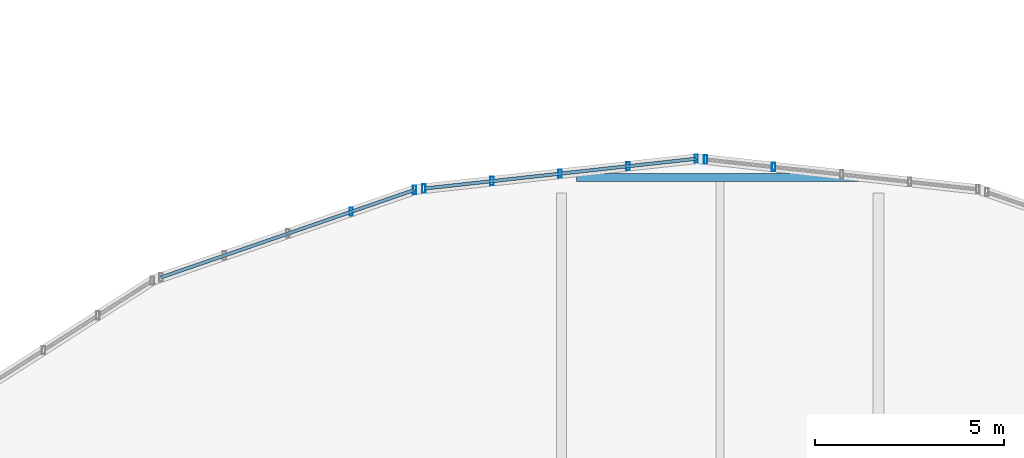
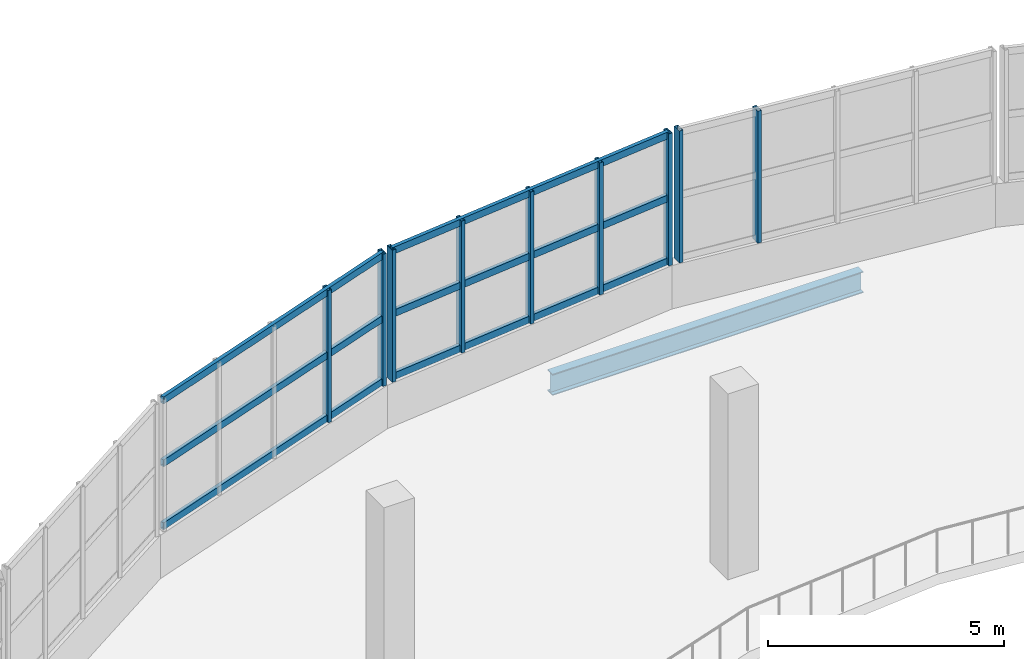
# One storey, part 20 of 117: 15 members, 1 beam, 3 elements without a shape of their own.
"""IFC4 building model written with IfcOpenShell, lengths in metres."""

from ifc_helpers import new_model, si_unit, direction, frame, origin, origin_2d, place, context, subcontext, project, spatial, hollow_rectangle, i_section, extrude, material, material_profile, profile_set, type_object, element, aggregate, save


model = new_model("IFC4")

# Units and contexts
model_context = context("Model", 3, precision=1e-05, world=origin(), true_north=direction((0.0, 1.0)))
body_context = subcontext(model_context, "Body", "Model", "MODEL_VIEW")
ifc_project = project(units=[si_unit("LENGTHUNIT", "METRE"), si_unit("AREAUNIT", "SQUARE_METRE"), si_unit("VOLUMEUNIT", "CUBIC_METRE"), si_unit("PLANEANGLEUNIT", "RADIAN"), si_unit("MASSUNIT", "GRAM", prefix="KILO")], contexts=[model_context])

# Site, building, storey
site_placement = place(None, origin())
site = spatial("IfcSite", under=ifc_project, at=site_placement, CompositionType="ELEMENT")
building_placement = place(site_placement, origin())
building = spatial("IfcBuilding", under=site, at=building_placement, Name="Solvento Point Concert Hall", CompositionType="ELEMENT")
storey_placement = place(building_placement, frame((0.0, 0.0, 5.39990234375)))
storey = spatial("IfcBuildingStorey", under=building, at=storey_placement, Name="L01", CompositionType="ELEMENT", Elevation=5.39990234375)

# Beam
ifc_material_1 = material(Name="Structural Steel ASTM A992 Grade 50", Category="steel")
ifc_material_profile_1 = material_profile(ifc_material_1, i_section(OverallWidth=0.214111328125, OverallDepth=0.549072265625, WebThickness=0.0146484375, FlangeThickness=0.023681640625, at=origin_2d()), Name="W21X93")
ifc_profile_set_1 = profile_set([ifc_material_profile_1], Name="Structural Steel ASTM A992 Grade 50")
beam_type = type_object("IfcBeamType", Name="Beam_W21X93", PredefinedType="BEAM", material=ifc_profile_set_1)
beam_placement = place(storey_placement, frame((58.00390625, 59.5, -0.558349609375), z_axis=(1.0, 0.0, 0.0), x_axis=(0.0, 1.0, 0.0)))
element("IfcBeam", 1, at=beam_placement, inside=storey, type_object=beam_type, Name="Primary girder B-48 L01", PredefinedType="BEAM", context=body_context, shape_type="SweptSolid", body=[
    extrude(i_section(OverallWidth=0.214111328125, OverallDepth=0.549072265625, WebThickness=0.0146484375, FlangeThickness=0.023681640625, at=origin_2d()), origin(), (0.0, 0.0, 1.0), 7.592041015625),
])

# Curtain wall, members
ifc_material_2 = material(Name="Anodized Bronze Aluminium", Category="aluminium")
curtain_wall_type = type_object("IfcCurtainWallType", Name="CurtainWall_RingRibbon_L01_02", PredefinedType="USERDEFINED", material=ifc_material_2)
curtain_wall_1_placement = place(storey_placement, origin())
curtain_wall_1 = element("IfcCurtainWall", 2, at=curtain_wall_1_placement, inside=storey, type_object=curtain_wall_type, Name="Unitised curtain wall CW-59 UCW-L01-102", ObjectType="UNITISED CURTAIN WALL", PredefinedType="USERDEFINED")
ifc_material_3 = material(Name="Anodized Bronze Aluminium", Category="aluminium")
ifc_material_profile_2 = material_profile(ifc_material_3, hollow_rectangle(XDim=0.090087890625, YDim=0.219970703125, WallThickness=0.00439453125, at=origin_2d()), Name="CW-MUL-90X220")
ifc_profile_set_2 = profile_set([ifc_material_profile_2], Name="Anodized Bronze Aluminium")
member_type_1 = type_object("IfcMemberType", Name="Mullion_90x220", PredefinedType="MULLION", material=ifc_profile_set_2)
member_1_placement = place(storey_placement, frame((52.040283203125, 58.593505859375, 1.1201171875), z_axis=(0.0, 0.0, 1.0), x_axis=(1.0, 0.0, 0.0)))
member_1 = element("IfcMember", 3, at=member_1_placement, type_object=member_type_1, Name="Curtain wall mullion ML-02", PredefinedType="MULLION", context=body_context, shape_type="SweptSolid", body=[
    extrude(hollow_rectangle(XDim=0.090087890625, YDim=0.219970703125, WallThickness=0.00439453125, at=origin_2d()), origin(), (0.0, 0.0, 1.0), 3.409912109375),
])
member_2_placement = place(storey_placement, frame((53.717529296875, 59.17236328125, 1.1201171875), z_axis=(0.0, 0.0, 1.0), x_axis=(1.0, 0.0, 0.0)))
member_2 = element("IfcMember", 4, at=member_2_placement, type_object=member_type_1, Name="Curtain wall mullion ML-02", PredefinedType="MULLION", context=body_context, shape_type="SweptSolid", body=[
    extrude(hollow_rectangle(XDim=0.090087890625, YDim=0.219970703125, WallThickness=0.00439453125, at=origin_2d()), origin(), (0.0, 0.0, 1.0), 3.409912109375),
])

curtain_wall_2_placement = place(storey_placement, origin())
curtain_wall_2 = element("IfcCurtainWall", 5, at=curtain_wall_2_placement, inside=storey, type_object=curtain_wall_type, Name="Unitised curtain wall CW-59 UCW-L01-103", ObjectType="UNITISED CURTAIN WALL", PredefinedType="USERDEFINED")
member_3_placement = place(storey_placement, frame((53.964599609375, 59.206298828125, 1.1201171875), z_axis=(0.0, 0.0, 1.0), x_axis=(1.0, 0.0, 0.0)))
member_3 = element("IfcMember", 6, at=member_3_placement, type_object=member_type_1, Name="Curtain wall mullion ML-02", PredefinedType="MULLION", context=body_context, shape_type="SweptSolid", body=[
    extrude(hollow_rectangle(XDim=0.090087890625, YDim=0.219970703125, WallThickness=0.00439453125, at=origin_2d()), origin(), (0.0, 0.0, 1.0), 3.409912109375),
])
member_4_placement = place(storey_placement, frame((55.76611328125, 59.40380859375, 1.1201171875), z_axis=(0.0, 0.0, 1.0), x_axis=(1.0, 0.0, 0.0)))
member_4 = element("IfcMember", 7, at=member_4_placement, type_object=member_type_1, Name="Curtain wall mullion ML-02", PredefinedType="MULLION", context=body_context, shape_type="SweptSolid", body=[
    extrude(hollow_rectangle(XDim=0.090087890625, YDim=0.219970703125, WallThickness=0.00439453125, at=origin_2d()), origin(), (0.0, 0.0, 1.0), 3.409912109375),
])
member_5_placement = place(storey_placement, frame((57.5673828125, 59.6015625, 1.1201171875), z_axis=(0.0, 0.0, 1.0), x_axis=(1.0, 0.0, 0.0)))
member_5 = element("IfcMember", 8, at=member_5_placement, type_object=member_type_1, Name="Curtain wall mullion ML-02", PredefinedType="MULLION", context=body_context, shape_type="SweptSolid", body=[
    extrude(hollow_rectangle(XDim=0.090087890625, YDim=0.219970703125, WallThickness=0.00439453125, at=origin_2d()), origin(), (0.0, 0.0, 1.0), 3.409912109375),
])
member_6_placement = place(storey_placement, frame((59.368896484375, 59.799072265625, 1.1201171875), z_axis=(0.0, 0.0, 1.0), x_axis=(1.0, 0.0, 0.0)))
member_6 = element("IfcMember", 9, at=member_6_placement, type_object=member_type_1, Name="Curtain wall mullion ML-02", PredefinedType="MULLION", context=body_context, shape_type="SweptSolid", body=[
    extrude(hollow_rectangle(XDim=0.090087890625, YDim=0.219970703125, WallThickness=0.00439453125, at=origin_2d()), origin(), (0.0, 0.0, 1.0), 3.409912109375),
])
member_7_placement = place(storey_placement, frame((61.170166015625, 59.99658203125, 1.1201171875), z_axis=(0.0, 0.0, 1.0), x_axis=(1.0, 0.0, 0.0)))
member_7 = element("IfcMember", 10, at=member_7_placement, type_object=member_type_1, Name="Curtain wall mullion ML-02", PredefinedType="MULLION", context=body_context, shape_type="SweptSolid", body=[
    extrude(hollow_rectangle(XDim=0.090087890625, YDim=0.219970703125, WallThickness=0.00439453125, at=origin_2d()), origin(), (0.0, 0.0, 1.0), 3.409912109375),
])

curtain_wall_3_placement = place(storey_placement, origin())
curtain_wall_3 = element("IfcCurtainWall", 11, at=curtain_wall_3_placement, inside=storey, type_object=curtain_wall_type, Name="Unitised curtain wall CW-59 UCW-L01-104", ObjectType="UNITISED CURTAIN WALL", PredefinedType="USERDEFINED")
member_8_placement = place(storey_placement, frame((61.418701171875, 59.97607421875, 1.1201171875), z_axis=(0.0, 0.0, 1.0), x_axis=(1.0, 0.0, 0.0)))
member_8 = element("IfcMember", 12, at=member_8_placement, type_object=member_type_1, Name="Curtain wall mullion ML-02", PredefinedType="MULLION", context=body_context, shape_type="SweptSolid", body=[
    extrude(hollow_rectangle(XDim=0.090087890625, YDim=0.219970703125, WallThickness=0.00439453125, at=origin_2d()), origin(), (0.0, 0.0, 1.0), 3.409912109375),
])
member_9_placement = place(storey_placement, frame((63.22021484375, 59.7783203125, 1.1201171875), z_axis=(0.0, 0.0, 1.0), x_axis=(1.0, 0.0, 0.0)))
member_9 = element("IfcMember", 13, at=member_9_placement, type_object=member_type_1, Name="Curtain wall mullion ML-02", PredefinedType="MULLION", context=body_context, shape_type="SweptSolid", body=[
    extrude(hollow_rectangle(XDim=0.090087890625, YDim=0.219970703125, WallThickness=0.00439453125, at=origin_2d()), origin(), (0.0, 0.0, 1.0), 3.409912109375),
])
aggregate(curtain_wall_3, [member_8, member_9])

# Member
ifc_material_4 = material(Name="Anodized Bronze Aluminium", Category="aluminium")
ifc_material_profile_3 = material_profile(ifc_material_4, hollow_rectangle(XDim=0.090087890625, YDim=0.179931640625, WallThickness=0.00439453125, at=origin_2d()), Name="CW-TRN-90X180")
ifc_profile_set_3 = profile_set([ifc_material_profile_3], Name="Anodized Bronze Aluminium")
member_type_2 = type_object("IfcMemberType", Name="Transom_90x180", PredefinedType="USERDEFINED", material=ifc_profile_set_3)
member_10_placement = place(storey_placement, frame((47.008056640625, 56.8564453125, 1.2001953125), z_axis=(0.945272782673, 0.32628111551, 0.0), x_axis=(-0.32628111551, 0.945272782673, 0.0)))
member_10 = element("IfcMember", 14, at=member_10_placement, type_object=member_type_2, Name="Curtain wall transom TR-02", ObjectType="TRANSOM", PredefinedType="USERDEFINED", context=body_context, shape_type="SweptSolid", body=[
    extrude(hollow_rectangle(XDim=0.090087890625, YDim=0.179931640625, WallThickness=0.00439453125, at=origin_2d()), origin(), (0.0, 0.0, 1.0), 7.097900390625),
])

member_11_placement = place(storey_placement, frame((47.008056640625, 56.8564453125, 2.8251953125), z_axis=(0.945272782673, 0.32628111551, 0.0), x_axis=(-0.32628111551, 0.945272782673, 0.0)))
member_11 = element("IfcMember", 15, at=member_11_placement, type_object=member_type_2, Name="Curtain wall transom TR-02", ObjectType="TRANSOM", PredefinedType="USERDEFINED", context=body_context, shape_type="SweptSolid", body=[
    extrude(hollow_rectangle(XDim=0.090087890625, YDim=0.179931640625, WallThickness=0.00439453125, at=origin_2d()), origin(), (0.0, 0.0, 1.0), 7.097900390625),
])

member_12_placement = place(storey_placement, frame((47.008056640625, 56.8564453125, 4.4501953125), z_axis=(0.945272782673, 0.32628111551, 0.0), x_axis=(-0.32628111551, 0.945272782673, 0.0)))
member_12 = element("IfcMember", 16, at=member_12_placement, type_object=member_type_2, Name="Curtain wall transom TR-02", ObjectType="TRANSOM", PredefinedType="USERDEFINED", context=body_context, shape_type="SweptSolid", body=[
    extrude(hollow_rectangle(XDim=0.090087890625, YDim=0.179931640625, WallThickness=0.00439453125, at=origin_2d()), origin(), (0.0, 0.0, 1.0), 7.097900390625),
])

aggregate(curtain_wall_1, [member_1, member_2, member_10, member_11, member_12])

member_13_placement = place(storey_placement, frame((53.964599609375, 59.206298828125, 1.2001953125), z_axis=(0.994039226754, 0.109023005252, 0.0), x_axis=(-0.109023005252, 0.994039226754, 0.0)))
member_13 = element("IfcMember", 17, at=member_13_placement, type_object=member_type_2, Name="Curtain wall transom TR-02", ObjectType="TRANSOM", PredefinedType="USERDEFINED", context=body_context, shape_type="SweptSolid", body=[
    extrude(hollow_rectangle(XDim=0.090087890625, YDim=0.179931640625, WallThickness=0.00439453125, at=origin_2d()), origin(), (0.0, 0.0, 1.0), 7.248779296875),
])

member_14_placement = place(storey_placement, frame((53.964599609375, 59.206298828125, 2.8251953125), z_axis=(0.994039226754, 0.109023005252, 0.0), x_axis=(-0.109023005252, 0.994039226754, 0.0)))
member_14 = element("IfcMember", 18, at=member_14_placement, type_object=member_type_2, Name="Curtain wall transom TR-02", ObjectType="TRANSOM", PredefinedType="USERDEFINED", context=body_context, shape_type="SweptSolid", body=[
    extrude(hollow_rectangle(XDim=0.090087890625, YDim=0.179931640625, WallThickness=0.00439453125, at=origin_2d()), origin(), (0.0, 0.0, 1.0), 7.248779296875),
])

member_15_placement = place(storey_placement, frame((53.964599609375, 59.206298828125, 4.4501953125), z_axis=(0.994039226754, 0.109023005252, 0.0), x_axis=(-0.109023005252, 0.994039226754, 0.0)))
member_15 = element("IfcMember", 19, at=member_15_placement, type_object=member_type_2, Name="Curtain wall transom TR-02", ObjectType="TRANSOM", PredefinedType="USERDEFINED", context=body_context, shape_type="SweptSolid", body=[
    extrude(hollow_rectangle(XDim=0.090087890625, YDim=0.179931640625, WallThickness=0.00439453125, at=origin_2d()), origin(), (0.0, 0.0, 1.0), 7.248779296875),
])

aggregate(curtain_wall_2, [member_3, member_4, member_5, member_6, member_7, member_13, member_14, member_15])

save(model, "model.ifc")
